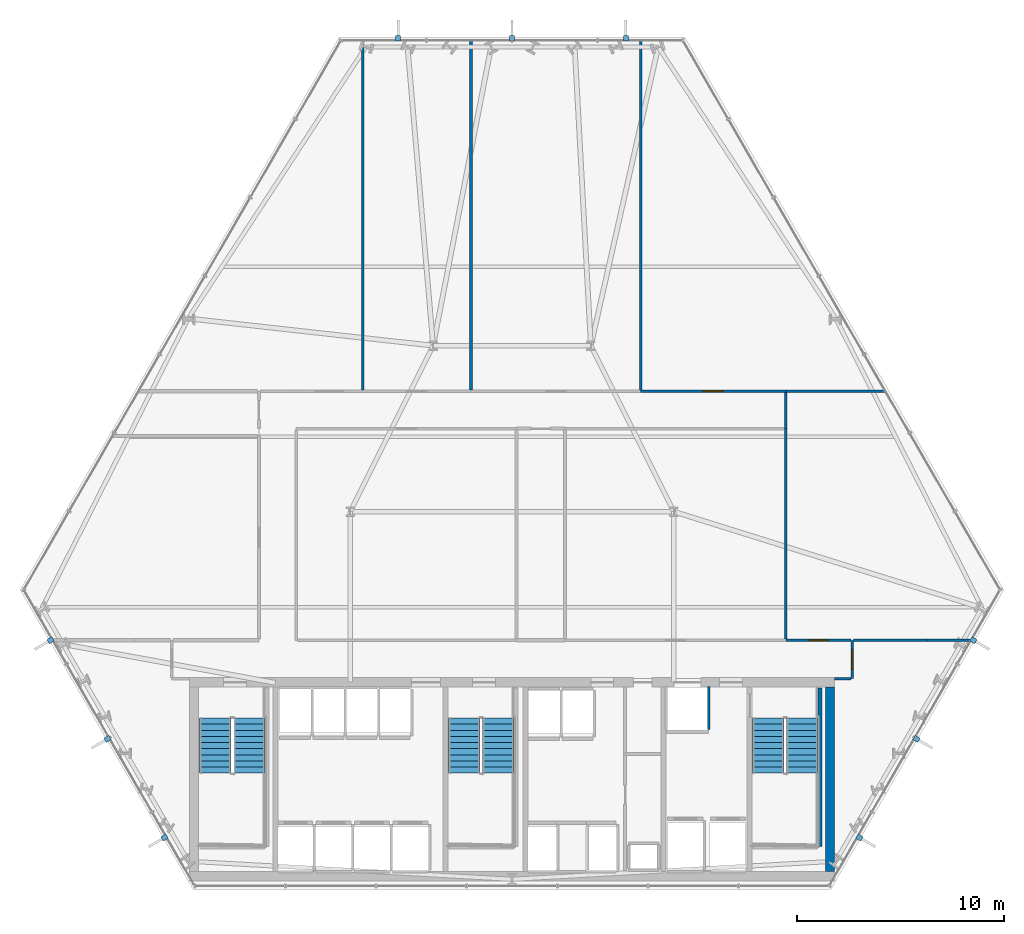
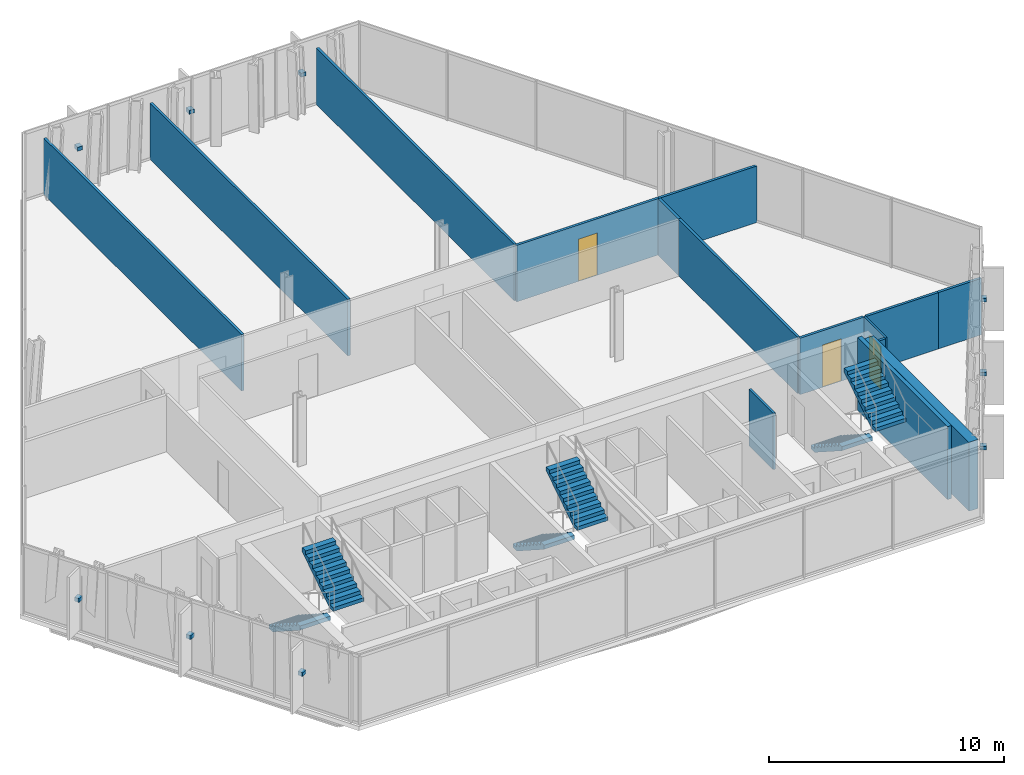
# One storey, part 29 of 33: 15 walls, 9 discrete accessories, 6 stair flights, 3 doors, 3 openings, 3 elements without a shape of their own.
"""IFC4 building model written with IfcOpenShell, lengths in metres."""

from ifc_helpers import new_model, si_unit, direction, frame, frame_2d, origin, origin_2d, place, context, subcontext, project, spatial, polyline, rectangle, outline, extrude, material, layer, layer_set, type_object, element, fill, aggregate, save


model = new_model("IFC4")

# Units and contexts
model_context = context("Model", 3, precision=1e-05, world=origin(), true_north=direction((0.0, 1.0)))
body_context = subcontext(model_context, "Body", "Model", "MODEL_VIEW")
ifc_project = project(units=[si_unit("LENGTHUNIT", "METRE"), si_unit("AREAUNIT", "SQUARE_METRE"), si_unit("VOLUMEUNIT", "CUBIC_METRE"), si_unit("PLANEANGLEUNIT", "RADIAN"), si_unit("MASSUNIT", "GRAM", prefix="KILO")], contexts=[model_context])

# Site, building, storey
site_placement = place(None, origin())
site = spatial("IfcSite", under=ifc_project, at=site_placement, CompositionType="ELEMENT")
building_placement = place(site_placement, origin())
building = spatial("IfcBuilding", under=site, at=building_placement, Name="Ndaravel Arena Tower", CompositionType="ELEMENT")
storey_placement = place(building_placement, frame((0.0, 0.0, 43.60009765625)))
storey = spatial("IfcBuildingStorey", under=building, at=storey_placement, Name="L08", CompositionType="ELEMENT", Elevation=43.60009765625)

# Wall
ifc_material_1 = material(Name="Concrete C60/75", Category="concrete")
ifc_layer_1 = layer(ifc_material_1, 0.449951171875)
ifc_layer_set_1 = layer_set([ifc_layer_1], Name="Concrete C60/75")
wall_type_1 = type_object("IfcWallType", Name="WALL-CORE-450", PredefinedType="SOLIDWALL", material=ifc_layer_set_1)
wall_1_placement = place(storey_placement, frame((57.324951171875, 5.85009765625, 0.0), z_axis=(0.0, 0.0, 1.0), x_axis=(0.0, 1.0, 0.0)))
element("IfcWall", 1, at=wall_1_placement, inside=storey, type_object=wall_type_1, Name="L08 Core East Shear Wall", PredefinedType="SOLIDWALL", context=body_context, shape_type="SweptSolid", body=[
    extrude(rectangle(XDim=8.89990234375, YDim=0.449951171875, at=frame_2d((4.449951171875, 0.0))), origin(), (0.0, 0.0, 1.0), 3.579833984375),
])

# Wall, opening, door
ifc_material_2 = material(Name="Timber", Category="wood")
ifc_layer_2 = layer(ifc_material_2, 0.10009765625)
ifc_layer_set_2 = layer_set([ifc_layer_2], Name="Timber")
wall_type_2 = type_object("IfcWallType", Name="WALL-MOVABLE-100", PredefinedType="MOVABLE", material=ifc_layer_set_2)
wall_2_placement = place(storey_placement, frame((58.39990234375, 17.0, 0.0), z_axis=(0.0, 0.0, 1.0), x_axis=(0.0, -1.0, 0.0)))
wall_2 = element("IfcWall", 2, at=wall_2_placement, inside=storey, type_object=wall_type_2, Name="L08 Interior Partition 001", PredefinedType="MOVABLE", context=body_context, shape_type="SweptSolid", body=[
    extrude(rectangle(XDim=1.85009765625, YDim=0.10009765625, at=frame_2d((0.925048828125, 0.0))), origin(), (0.0, 0.0, 1.0), 2.9326171875),
])
opening_1_placement = place(wall_2_placement, frame((0.449951171875, 0.0, 0.0)))
opening_1 = element("IfcOpeningElement", 3, at=opening_1_placement, cuts=wall_2, Name="Opening ID-01", PredefinedType="OPENING", context=body_context, shape_type="SweptSolid", body=[
    extrude(rectangle(XDim=0.949951171875, YDim=2.199951171875, at=frame_2d((0.47509765625, 1.10009765625))), frame((0.0, 0.050048828125, 0.0), z_axis=(0.0, -1.0, 0.0), x_axis=(1.0, 0.0, 0.0)), (0.0, 0.0, 1.0), 0.10009765625),
])
ifc_material_3 = material(Name="Timber", Category="wood")
door_type = type_object("IfcDoorType", Name="DT-03-OFFICE-950", OperationType="SINGLE_SWING_LEFT", PredefinedType="DOOR", material=ifc_material_3)
door_1_placement = place(opening_1_placement, origin())
door_1 = element("IfcDoor", 4, at=door_1_placement, inside=storey, type_object=door_type, Name="L08 Executive Boardroom Door", OperationType="SINGLE_SWING_RIGHT", OverallHeight=2.199951171875, OverallWidth=0.949951171875, PredefinedType="DOOR", context=body_context, shape_type="SweptSolid", body=[
    extrude(rectangle(XDim=0.949951171875, YDim=2.199951171875, at=frame_2d((0.47509765625, 1.10009765625))), frame((0.0, 0.02490234375, 0.0), z_axis=(0.0, -1.0, 0.0), x_axis=(1.0, 0.0, 0.0)), (0.0, 0.0, 1.0), 0.050048828125),
])
fill(opening_1, door_1)

# Wall
ifc_material_4 = material(Name="Gypsum", Category="gypsum")
ifc_layer_3 = layer(ifc_material_4, 0.125)
ifc_layer_set_3 = layer_set([ifc_layer_3], Name="Gypsum")
wall_type_3 = type_object("IfcWallType", Name="WALL-PART-125", PredefinedType="PARTITIONING", material=ifc_layer_set_3)
wall_3_placement = place(storey_placement, frame((58.3349609375, 15.14990234375, 0.0), z_axis=(0.0, 0.0, 1.0), x_axis=(-1.0, 0.0, 0.0)))
element("IfcWall", 5, at=wall_3_placement, inside=storey, type_object=wall_type_3, Name="L08 Interior Partition 002", PredefinedType="PARTITIONING", context=body_context, shape_type="SweptSolid", body=[
    extrude(rectangle(XDim=0.784912109375, YDim=0.125, at=frame_2d((0.392578125, 0.0))), origin(), (0.0, 0.0, 1.0), 2.9326171875),
])

# Wall, opening, door
wall_4_placement = place(storey_placement, frame((48.199951171875, 29.0, 0.0), z_axis=(0.0, 0.0, 1.0), x_axis=(1.0, 0.0, 0.0)))
wall_4 = element("IfcWall", 6, at=wall_4_placement, inside=storey, type_object=wall_type_3, Name="L08 Interior Partition 012", PredefinedType="PARTITIONING", context=body_context, shape_type="SweptSolid", body=[
    extrude(rectangle(XDim=7.0, YDim=0.125, at=frame_2d((3.5, 0.0))), origin(), (0.0, 0.0, 1.0), 2.9326171875),
])
opening_2_placement = place(wall_4_placement, frame((3.02490234375, 0.0, 0.0)))
opening_2 = element("IfcOpeningElement", 7, at=opening_2_placement, cuts=wall_4, Name="Opening ID-01", PredefinedType="OPENING", context=body_context, shape_type="SweptSolid", body=[
    extrude(rectangle(XDim=0.949951171875, YDim=2.199951171875, at=frame_2d((0.47509765625, 1.10009765625))), frame((0.0, 0.0625, 0.0), z_axis=(0.0, -1.0, 0.0), x_axis=(1.0, 0.0, 0.0)), (0.0, 0.0, 1.0), 0.125),
])
door_2_placement = place(opening_2_placement, origin())
door_2 = element("IfcDoor", 8, at=door_2_placement, inside=storey, type_object=door_type, Name="L08 Project Seminar Room 3 Door", OperationType="SINGLE_SWING_RIGHT", OverallHeight=2.199951171875, OverallWidth=0.949951171875, PredefinedType="DOOR", context=body_context, shape_type="SweptSolid", body=[
    extrude(rectangle(XDim=0.949951171875, YDim=2.199951171875, at=frame_2d((0.47509765625, 1.10009765625))), frame((0.0, 0.02490234375, 0.0), z_axis=(0.0, -1.0, 0.0), x_axis=(1.0, 0.0, 0.0)), (0.0, 0.0, 1.0), 0.050048828125),
])
fill(opening_2, door_2)

# Wall
wall_5_placement = place(storey_placement, frame((55.199951171875, 28.93505859375, 0.0), z_axis=(0.0, 0.0, 1.0), x_axis=(0.0, -1.0, 0.0)))
element("IfcWall", 9, at=wall_5_placement, inside=storey, type_object=wall_type_3, Name="L08 Interior Partition 013", PredefinedType="PARTITIONING", context=body_context, shape_type="SweptSolid", body=[
    extrude(rectangle(XDim=1.735107421875, YDim=0.125, at=frame_2d((0.86767578125, 0.0))), origin(), (0.0, 0.0, 1.0), 2.9326171875),
])

# Wall, opening, door
wall_6_placement = place(storey_placement, frame((55.199951171875, 17.0, 0.0), z_axis=(0.0, 0.0, 1.0), x_axis=(1.0, 0.0, 0.0)))
wall_6 = element("IfcWall", 10, at=wall_6_placement, inside=storey, type_object=wall_type_3, Name="L08 Interior Partition 021", PredefinedType="PARTITIONING", context=body_context, shape_type="SweptSolid", body=[
    extrude(rectangle(XDim=3.135009765625, YDim=0.125, at=frame_2d((1.5673828125, 0.0))), origin(), (0.0, 0.0, 1.0), 2.9326171875),
])
opening_3_placement = place(wall_6_placement, frame((1.092529296875, 0.0, 0.0)))
opening_3 = element("IfcOpeningElement", 11, at=opening_3_placement, cuts=wall_6, Name="Opening ID-01", PredefinedType="OPENING", context=body_context, shape_type="SweptSolid", body=[
    extrude(rectangle(XDim=0.949951171875, YDim=2.199951171875, at=frame_2d((0.47509765625, 1.10009765625))), frame((0.0, 0.0625, 0.0), z_axis=(0.0, -1.0, 0.0), x_axis=(1.0, 0.0, 0.0)), (0.0, 0.0, 1.0), 0.125),
])
door_3_placement = place(opening_3_placement, origin())
door_3 = element("IfcDoor", 12, at=door_3_placement, inside=storey, type_object=door_type, Name="L08 Advisory Desk Office 3 Door", OperationType="SINGLE_SWING_LEFT", OverallHeight=2.199951171875, OverallWidth=0.949951171875, PredefinedType="DOOR", context=body_context, shape_type="SweptSolid", body=[
    extrude(rectangle(XDim=0.949951171875, YDim=2.199951171875, at=frame_2d((0.47509765625, 1.10009765625))), frame((0.0, 0.02490234375, 0.0), z_axis=(0.0, -1.0, 0.0), x_axis=(1.0, 0.0, 0.0)), (0.0, 0.0, 1.0), 0.050048828125),
])
fill(opening_3, door_3)

# Walls
wall_7_placement = place(storey_placement, frame((58.465087890625, 17.0, 0.0), z_axis=(0.0, 0.0, 1.0), x_axis=(1.0, 0.0, 0.0)))
element("IfcWall", 13, at=wall_7_placement, inside=storey, type_object=wall_type_3, Name="L08 Interior Partition 024", PredefinedType="PARTITIONING", context=body_context, shape_type="SweptSolid", body=[
    extrude(rectangle(XDim=3.534912109375, YDim=0.125, at=frame_2d((1.767578125, 0.0))), origin(), (0.0, 0.0, 1.0), 2.9326171875),
])
wall_8_placement = place(storey_placement, frame((62.0, 17.0, 0.0), z_axis=(0.0, 0.0, 1.0), x_axis=(1.0, 0.0, 0.0)))
element("IfcWall", 14, at=wall_8_placement, inside=storey, type_object=wall_type_3, Name="L08 Interior Partition 025", PredefinedType="PARTITIONING", context=body_context, shape_type="SweptSolid", body=[
    extrude(rectangle(XDim=2.1240234375, YDim=0.125, at=frame_2d((1.06201171875, 0.0))), origin(), (0.0, 0.0, 1.0), 2.9326171875),
])
wall_9_placement = place(storey_placement, frame((55.199951171875, 27.199951171875, 0.0), z_axis=(0.0, 0.0, 1.0), x_axis=(0.0, -1.0, 0.0)))
element("IfcWall", 15, at=wall_9_placement, inside=storey, type_object=wall_type_3, Name="L08 Interior Partition 029", PredefinedType="PARTITIONING", context=body_context, shape_type="SweptSolid", body=[
    extrude(rectangle(XDim=10.135009765625, YDim=0.125, at=frame_2d((5.0673828125, 0.0))), origin(), (0.0, 0.0, 1.0), 2.9326171875),
])
wall_10_placement = place(storey_placement, frame((55.199951171875, 29.0, 0.0), z_axis=(0.0, 0.0, 1.0), x_axis=(1.0, 0.0, 0.0)))
element("IfcWall", 16, at=wall_10_placement, inside=storey, type_object=wall_type_3, Name="L08 Interior Partition 030", PredefinedType="PARTITIONING", context=body_context, shape_type="SweptSolid", body=[
    extrude(rectangle(XDim=4.8017578125, YDim=0.125, at=frame_2d((2.40087890625, 0.0))), origin(), (0.0, 0.0, 1.0), 2.9326171875),
])
for number, where, z_axis, x_axis, name in (
    (17, (34.800048828125, 45.909912109375, 0.0), (0.0, 0.0, 1.0), (0.0, -1.0, 0.0), "L08 Interior Partition 032"),
    (18, (48.199951171875, 29.06494140625, 0.0), (0.0, 0.0, 1.0), (0.0, 1.0, 0.0), "L08 Interior Partition 033"),
    (19, (40.02587890625, 29.06494140625, 0.0), (0.0, 0.0, 1.0), (0.0, 1.0, 0.0), "L08 Interior Partition 034"),
):
    element("IfcWall", number, at=place(storey_placement, frame(where, z_axis=z_axis, x_axis=x_axis)), inside=storey, type_object=wall_type_3, Name=name, PredefinedType="PARTITIONING", context=body_context, shape_type="SweptSolid", body=[
        extrude(rectangle(XDim=16.844970703125, YDim=0.125, at=frame_2d((8.42236328125, 0.0))), origin(), (0.0, 0.0, 1.0), 2.9326171875),
    ])
ifc_material_5 = material(Name="Concrete C40/50", Category="concrete")
ifc_layer_4 = layer(ifc_material_5, 0.1201171875)
ifc_layer_set_4 = layer_set([ifc_layer_4], Name="Concrete C40/50")
wall_type_4 = type_object("IfcWallType", Name="WALL-SHAFT-120", PredefinedType="SOLIDWALL", material=ifc_layer_set_4)
wall_11_placement = place(storey_placement, frame((51.47998046875, 12.68994140625, 0.0), z_axis=(0.0, 0.0, 1.0), x_axis=(0.0, 1.0, 0.0)))
element("IfcWall", 20, at=wall_11_placement, inside=storey, type_object=wall_type_4, Name="L08 SVL-1 Shaft E Wall", PredefinedType="SOLIDWALL", context=body_context, shape_type="SweptSolid", body=[
    extrude(rectangle(XDim=2.070068359375, YDim=0.1201171875, at=frame_2d((1.03515625, 0.0))), origin(), (0.0, 0.0, 1.0), 2.9326171875),
])
ifc_material_6 = material(Name="Concrete C40/50", Category="concrete")
ifc_layer_5 = layer(ifc_material_6, 0.199951171875)
ifc_layer_set_5 = layer_set([ifc_layer_5], Name="Concrete C40/50")
wall_type_5 = type_object("IfcWallType", Name="WALL-SHAFT-200", PredefinedType="SOLIDWALL", material=ifc_layer_set_5)
wall_12_placement = place(storey_placement, frame((56.840087890625, 14.699951171875, 0.0), z_axis=(0.0, 0.0, 1.0), x_axis=(0.0, -1.0, 0.0)))
element("IfcWall", 21, at=wall_12_placement, inside=storey, type_object=wall_type_5, Name="L08 ST-3 Structural Shaft Wall Right", PredefinedType="SOLIDWALL", context=body_context, shape_type="SweptSolid", body=[
    extrude(rectangle(XDim=7.64990234375, YDim=0.199951171875, at=frame_2d((3.824951171875, 0.0))), origin(), (0.0, 0.0, 1.0), 3.7998046875),
])

# Stair, stair flights
ifc_material_7 = material(Name="Concrete C40/50", Category="concrete")
stair_type = type_object("IfcStairType", Name="STAIR-CORE-HT", PredefinedType="HALF_TURN_STAIR", material=ifc_material_7)
stair_1_placement = place(storey_placement, origin())
stair_1 = element("IfcStair", 22, at=stair_1_placement, inside=storey, type_object=stair_type, Name="L08 ST-1", PredefinedType="HALF_TURN_STAIR")
ifc_material_8 = material(Name="Concrete C40/50", Category="concrete")
stair_flight_type = type_object("IfcStairFlightType", Name="SFLIGHT-CORE-1680", PredefinedType="STRAIGHT", material=ifc_material_8)
stair_flight_1_placement = place(storey_placement, frame((27.699951171875, 13.25, 0.0), z_axis=(0.0, 0.0, 1.0), x_axis=(0.0, -1.0, 0.0)))
stair_flight_1 = element("IfcStairFlight", 23, at=stair_flight_1_placement, type_object=stair_flight_type, Name="ST-1 flight 1", NumberOfRisers=10, NumberOfTreads=9, PredefinedType="STRAIGHT", RiserHeight=0.19, TreadLength=0.295, context=body_context, shape_type="SweptSolid", body=[
    extrude(outline(polyline([(0.0, 0.0), (0.0, 0.18994140625), (0.294921875, 0.18994140625), (0.294921875, 0.3798828125), (0.590087890625, 0.3798828125), (0.590087890625, 0.570068359375), (0.885009765625, 0.570068359375), (0.885009765625, 0.760009765625), (1.179931640625, 0.760009765625), (1.179931640625, 0.949951171875), (1.47509765625, 0.949951171875), (1.47509765625, 1.139892578125), (1.77001953125, 1.139892578125), (1.77001953125, 1.330078125), (2.06494140625, 1.330078125), (2.06494140625, 1.52001953125), (2.360107421875, 1.52001953125), (2.360107421875, 1.7099609375), (2.655029296875, 1.7099609375), (2.655029296875, 1.89990234375), (2.655029296875, 1.49609375), (0.332275390625, 0.0), (0.0, 0.0)])), frame((0.0, 0.75, 0.0), z_axis=(0.0, -1.0, 0.0), x_axis=(1.0, 0.0, 0.0)), (0.0, 0.0, 1.0), 1.5),
])
stair_flight_2_placement = place(storey_placement, frame((29.340087890625, 10.594970703125, 1.89990234375), z_axis=(0.0, 0.0, 1.0), x_axis=(0.0, 1.0, 0.0)))
stair_flight_2 = element("IfcStairFlight", 24, at=stair_flight_2_placement, type_object=stair_flight_type, Name="ST-1 flight 2", NumberOfRisers=10, NumberOfTreads=9, PredefinedType="STRAIGHT", RiserHeight=0.19, TreadLength=0.295, context=body_context, shape_type="SweptSolid", body=[
    extrude(outline(polyline([(0.0, 0.0), (0.0, 0.18994140625), (0.294921875, 0.18994140625), (0.294921875, 0.3798828125), (0.590087890625, 0.3798828125), (0.590087890625, 0.570068359375), (0.885009765625, 0.570068359375), (0.885009765625, 0.760009765625), (1.179931640625, 0.760009765625), (1.179931640625, 0.949951171875), (1.47509765625, 0.949951171875), (1.47509765625, 1.139892578125), (1.77001953125, 1.139892578125), (1.77001953125, 1.330078125), (2.06494140625, 1.330078125), (2.06494140625, 1.52001953125), (2.360107421875, 1.52001953125), (2.360107421875, 1.7099609375), (2.655029296875, 1.7099609375), (2.655029296875, 1.89990234375), (2.655029296875, 1.49609375), (0.332275390625, 0.0), (0.0, 0.0)])), frame((0.0, 0.75, 0.0), z_axis=(0.0, -1.0, 0.0), x_axis=(1.0, 0.0, 0.0)), (0.0, 0.0, 1.0), 1.5),
])
aggregate(stair_1, [stair_flight_1, stair_flight_2])

stair_2_placement = place(storey_placement, origin())
stair_2 = element("IfcStair", 25, at=stair_2_placement, inside=storey, type_object=stair_type, Name="L08 ST-2", PredefinedType="HALF_TURN_STAIR")
stair_flight_3_placement = place(storey_placement, frame((39.699951171875, 13.25, 0.0), z_axis=(0.0, 0.0, 1.0), x_axis=(0.0, -1.0, 0.0)))
stair_flight_3 = element("IfcStairFlight", 26, at=stair_flight_3_placement, type_object=stair_flight_type, Name="ST-2 flight 1", NumberOfRisers=10, NumberOfTreads=9, PredefinedType="STRAIGHT", RiserHeight=0.19, TreadLength=0.295, context=body_context, shape_type="SweptSolid", body=[
    extrude(outline(polyline([(0.0, 0.0), (0.0, 0.18994140625), (0.294921875, 0.18994140625), (0.294921875, 0.3798828125), (0.590087890625, 0.3798828125), (0.590087890625, 0.570068359375), (0.885009765625, 0.570068359375), (0.885009765625, 0.760009765625), (1.179931640625, 0.760009765625), (1.179931640625, 0.949951171875), (1.47509765625, 0.949951171875), (1.47509765625, 1.139892578125), (1.77001953125, 1.139892578125), (1.77001953125, 1.330078125), (2.06494140625, 1.330078125), (2.06494140625, 1.52001953125), (2.360107421875, 1.52001953125), (2.360107421875, 1.7099609375), (2.655029296875, 1.7099609375), (2.655029296875, 1.89990234375), (2.655029296875, 1.49609375), (0.332275390625, 0.0), (0.0, 0.0)])), frame((0.0, 0.75, 0.0), z_axis=(0.0, -1.0, 0.0), x_axis=(1.0, 0.0, 0.0)), (0.0, 0.0, 1.0), 1.5),
])
stair_flight_4_placement = place(storey_placement, frame((41.340087890625, 10.594970703125, 1.89990234375), z_axis=(0.0, 0.0, 1.0), x_axis=(0.0, 1.0, 0.0)))
stair_flight_4 = element("IfcStairFlight", 27, at=stair_flight_4_placement, type_object=stair_flight_type, Name="ST-2 flight 2", NumberOfRisers=10, NumberOfTreads=9, PredefinedType="STRAIGHT", RiserHeight=0.19, TreadLength=0.295, context=body_context, shape_type="SweptSolid", body=[
    extrude(outline(polyline([(0.0, 0.0), (0.0, 0.18994140625), (0.294921875, 0.18994140625), (0.294921875, 0.3798828125), (0.590087890625, 0.3798828125), (0.590087890625, 0.570068359375), (0.885009765625, 0.570068359375), (0.885009765625, 0.760009765625), (1.179931640625, 0.760009765625), (1.179931640625, 0.949951171875), (1.47509765625, 0.949951171875), (1.47509765625, 1.139892578125), (1.77001953125, 1.139892578125), (1.77001953125, 1.330078125), (2.06494140625, 1.330078125), (2.06494140625, 1.52001953125), (2.360107421875, 1.52001953125), (2.360107421875, 1.7099609375), (2.655029296875, 1.7099609375), (2.655029296875, 1.89990234375), (2.655029296875, 1.49609375), (0.332275390625, 0.0), (0.0, 0.0)])), frame((0.0, 0.75, 0.0), z_axis=(0.0, -1.0, 0.0), x_axis=(1.0, 0.0, 0.0)), (0.0, 0.0, 1.0), 1.5),
])
aggregate(stair_2, [stair_flight_3, stair_flight_4])

stair_3_placement = place(storey_placement, origin())
stair_3 = element("IfcStair", 28, at=stair_3_placement, inside=storey, type_object=stair_type, Name="L08 ST-3", PredefinedType="HALF_TURN_STAIR")
stair_flight_5_placement = place(storey_placement, frame((54.35009765625, 13.25, 0.0), z_axis=(0.0, 0.0, 1.0), x_axis=(0.0, -1.0, 0.0)))
stair_flight_5 = element("IfcStairFlight", 29, at=stair_flight_5_placement, type_object=stair_flight_type, Name="ST-3 flight 1", NumberOfRisers=10, NumberOfTreads=9, PredefinedType="STRAIGHT", RiserHeight=0.19, TreadLength=0.295, context=body_context, shape_type="SweptSolid", body=[
    extrude(outline(polyline([(0.0, 0.0), (0.0, 0.18994140625), (0.294921875, 0.18994140625), (0.294921875, 0.3798828125), (0.590087890625, 0.3798828125), (0.590087890625, 0.570068359375), (0.885009765625, 0.570068359375), (0.885009765625, 0.760009765625), (1.179931640625, 0.760009765625), (1.179931640625, 0.949951171875), (1.47509765625, 0.949951171875), (1.47509765625, 1.139892578125), (1.77001953125, 1.139892578125), (1.77001953125, 1.330078125), (2.06494140625, 1.330078125), (2.06494140625, 1.52001953125), (2.360107421875, 1.52001953125), (2.360107421875, 1.7099609375), (2.655029296875, 1.7099609375), (2.655029296875, 1.89990234375), (2.655029296875, 1.49609375), (0.332275390625, 0.0), (0.0, 0.0)])), frame((0.0, 0.75, 0.0), z_axis=(0.0, -1.0, 0.0), x_axis=(1.0, 0.0, 0.0)), (0.0, 0.0, 1.0), 1.5),
])
stair_flight_6_placement = place(storey_placement, frame((55.989990234375, 10.594970703125, 1.89990234375), z_axis=(0.0, 0.0, 1.0), x_axis=(0.0, 1.0, 0.0)))
stair_flight_6 = element("IfcStairFlight", 30, at=stair_flight_6_placement, type_object=stair_flight_type, Name="ST-3 flight 2", NumberOfRisers=10, NumberOfTreads=9, PredefinedType="STRAIGHT", RiserHeight=0.19, TreadLength=0.295, context=body_context, shape_type="SweptSolid", body=[
    extrude(outline(polyline([(0.0, 0.0), (0.0, 0.18994140625), (0.294921875, 0.18994140625), (0.294921875, 0.3798828125), (0.590087890625, 0.3798828125), (0.590087890625, 0.570068359375), (0.885009765625, 0.570068359375), (0.885009765625, 0.760009765625), (1.179931640625, 0.760009765625), (1.179931640625, 0.949951171875), (1.47509765625, 0.949951171875), (1.47509765625, 1.139892578125), (1.77001953125, 1.139892578125), (1.77001953125, 1.330078125), (2.06494140625, 1.330078125), (2.06494140625, 1.52001953125), (2.360107421875, 1.52001953125), (2.360107421875, 1.7099609375), (2.655029296875, 1.7099609375), (2.655029296875, 1.89990234375), (2.655029296875, 1.49609375), (0.332275390625, 0.0), (0.0, 0.0)])), frame((0.0, 0.75, 0.0), z_axis=(0.0, -1.0, 0.0), x_axis=(1.0, 0.0, 0.0)), (0.0, 0.0, 1.0), 1.5),
])
aggregate(stair_3, [stair_flight_5, stair_flight_6])

# Discrete accessories
ifc_material_9 = material(Name="Steel S355", Category="steel")
discrete_accessory_type = type_object("IfcDiscreteAccessoryType", Name="ACC-BRACKET-FIN", PredefinedType="BRACKET", material=ifc_material_9)
for number, where, z_axis, x_axis, name in (
    (31, (58.747802734375, 7.48828125, 1.68994140625), (0.0, 0.0, 1.0), (0.866025403784, -0.5, 0.0), "L08 Mazeras Stone Solar Fin E2.1 Bracket"),
    (32, (61.494140625, 12.2451171875, 1.68994140625), (0.0, 0.0, 1.0), (0.866025403784, -0.5, 0.0), "L08 Mazeras Stone Solar Fin E2.2 Bracket"),
    (33, (64.240478515625, 17.001708984375, 1.68994140625), (0.0, 0.0, 1.0), (0.866025403784, -0.5, 0.0), "L08 Mazeras Stone Solar Fin E2.3 Bracket"),
    (34, (47.492431640625, 46.010009765625, 1.68994140625), (0.0, 0.0, 1.0), (0.0, 1.0, 0.0), "L08 Mazeras Stone Solar Fin E4.1 Bracket"),
    (35, (42.0, 46.010009765625, 1.68994140625), (0.0, 0.0, 1.0), (0.0, 1.0, 0.0), "L08 Mazeras Stone Solar Fin E4.2 Bracket"),
    (36, (36.507568359375, 46.010009765625, 1.68994140625), (0.0, 0.0, 1.0), (0.0, 1.0, 0.0), "L08 Mazeras Stone Solar Fin E4.3 Bracket"),
    (37, (19.759521484375, 17.001708984375, 1.68994140625), (0.0, 0.0, 1.0), (-0.866025403784, -0.5, 0.0), "L08 Mazeras Stone Solar Fin E6.1 Bracket"),
    (38, (22.505859375, 12.2451171875, 1.68994140625), (0.0, 0.0, 1.0), (-0.866025403784, -0.5, 0.0), "L08 Mazeras Stone Solar Fin E6.2 Bracket"),
    (39, (25.252197265625, 7.48828125, 1.68994140625), (0.0, 0.0, 1.0), (-0.866025403784, -0.5, 0.0), "L08 Mazeras Stone Solar Fin E6.3 Bracket"),
):
    element("IfcDiscreteAccessory", number, at=place(storey_placement, frame(where, z_axis=z_axis, x_axis=x_axis)), inside=storey, type_object=discrete_accessory_type, Name=name, PredefinedType="BRACKET", context=body_context, shape_type="SweptSolid", body=[
        extrude(rectangle(XDim=0.280029296875, YDim=0.239990234375, at=origin_2d()), origin(), (0.0, 0.0, 1.0), 0.199951171875),
    ])

save(model, "model.ifc")
